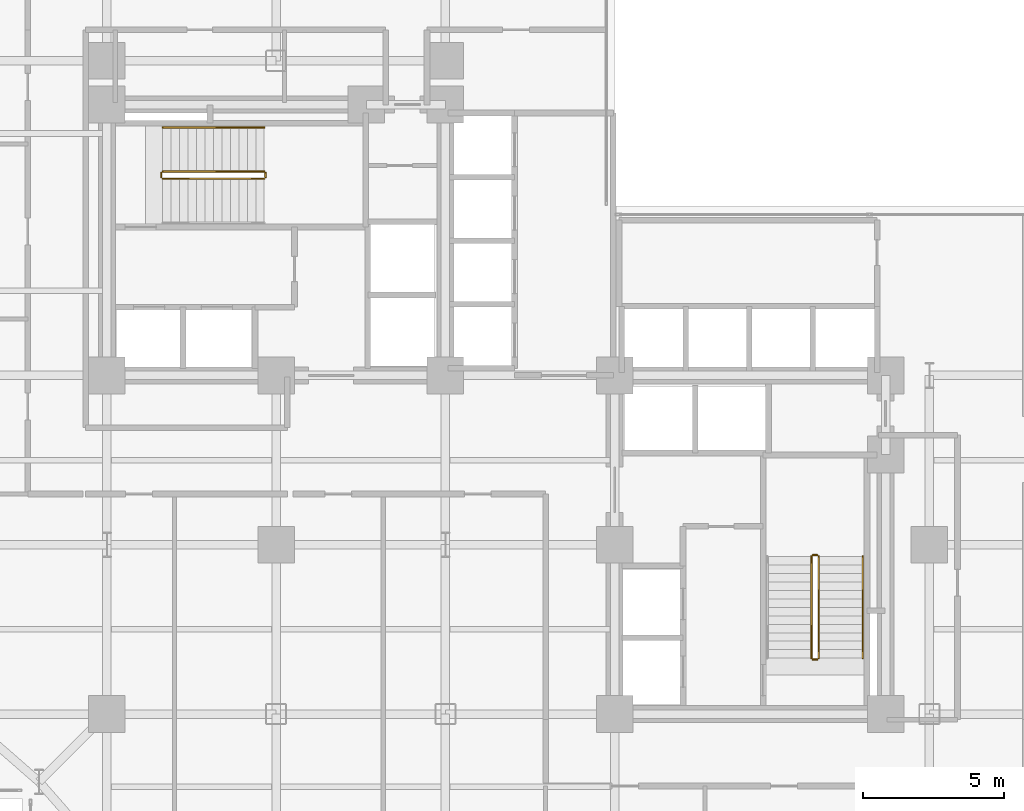
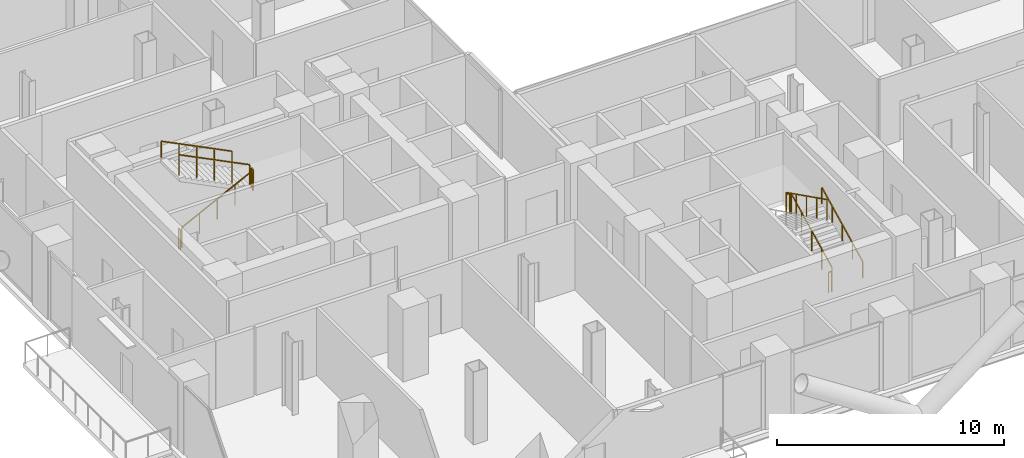
# One storey, part 25 of 25: 10 railings.
"""IFC4 building model written with IfcOpenShell, lengths in metres."""

from ifc_helpers import new_model, si_unit, direction, frame, origin, origin_2d, place, context, subcontext, project, spatial, rectangle, extrude, material, type_object, element, save


model = new_model("IFC4")

# Units and contexts
model_context = context("Model", 3, precision=1e-05, world=origin(), true_north=direction((0.0, 1.0)))
body_context = subcontext(model_context, "Body", "Model", "MODEL_VIEW")
ifc_project = project(units=[si_unit("LENGTHUNIT", "METRE"), si_unit("AREAUNIT", "SQUARE_METRE"), si_unit("VOLUMEUNIT", "CUBIC_METRE"), si_unit("PLANEANGLEUNIT", "RADIAN"), si_unit("MASSUNIT", "GRAM", prefix="KILO"), si_unit("THERMODYNAMICTEMPERATUREUNIT", "KELVIN"), si_unit("POWERUNIT", "WATT")], contexts=[model_context])

# Site, building, storey
site_placement = place(None, origin())
site = spatial("IfcSite", under=ifc_project, at=site_placement, CompositionType="ELEMENT")
building_placement = place(site_placement, origin())
building = spatial("IfcBuilding", under=site, at=building_placement, Name="Svarakhadi Broadcast Tower", CompositionType="ELEMENT")
storey_placement = place(building_placement, frame((0.0, 0.0, 63.60009765625)))
storey = spatial("IfcBuildingStorey", under=building, at=storey_placement, Name="L14", CompositionType="ELEMENT", Elevation=63.60009765625)

# Railings
ifc_material = material(Name="Anodised Bronze Aluminium AA 6063-T6", Category="aluminium")
railing_type_1 = type_object("IfcRailingType", Name="Guard_Stair_GR01", PredefinedType="GUARDRAIL", material=ifc_material)
railing_1_placement = place(storey_placement, frame((7.97998046875, 24.969970703125, 0.14990234375)))
element("IfcRailing", 1, at=railing_1_placement, inside=storey, type_object=railing_type_1, Name="L14 ST-01 stair guard 1", PredefinedType="GUARDRAIL", context=body_context, shape_type="SweptSolid", body=[
    extrude(rectangle(XDim=0.048095703125, YDim=0.048095703125, at=origin_2d()), frame((0.0, 0.0, 1.09619140625), z_axis=(0.894427191, 0.0, 0.4472135955), x_axis=(0.0, 1.0, 0.0)), (0.0, 0.0, 1.0), 4.025146484375),
    extrude(rectangle(XDim=0.0419921875, YDim=0.0419921875, at=origin_2d()), origin(), (0.0, 0.0, 1.0), 1.072021484375),
    extrude(rectangle(XDim=0.0419921875, YDim=0.0419921875, at=origin_2d()), frame((0.89990234375, 0.0, 0.449951171875)), (0.0, 0.0, 1.0), 1.072021484375),
    extrude(rectangle(XDim=0.0419921875, YDim=0.0419921875, at=origin_2d()), frame((1.800048828125, 0.0, 0.89990234375)), (0.0, 0.0, 1.0), 1.072021484375),
    extrude(rectangle(XDim=0.0419921875, YDim=0.0419921875, at=origin_2d()), frame((2.7001953125, 0.0, 1.35009765625)), (0.0, 0.0, 1.0), 1.072021484375),
    extrude(rectangle(XDim=0.0419921875, YDim=0.0419921875, at=origin_2d()), frame((3.60009765625, 0.0, 1.800048828125)), (0.0, 0.0, 1.0), 1.072021484375),
])
railing_2_placement = place(storey_placement, frame((11.6298828125, 25.02001953125, 1.949951171875)))
element("IfcRailing", 2, at=railing_2_placement, inside=storey, type_object=railing_type_1, Name="L14 ST-01 stair guard 2", PredefinedType="GUARDRAIL", context=body_context, shape_type="SweptSolid", body=[
    extrude(rectangle(XDim=0.048095703125, YDim=0.048095703125, at=origin_2d()), frame((0.0, 0.0, 1.09619140625), z_axis=(0.0, 1.0, 0.0), x_axis=(-1.0, 0.0, 0.0)), (0.0, 0.0, 1.0), 0.159912109375),
    extrude(rectangle(XDim=0.0419921875, YDim=0.0419921875, at=origin_2d()), origin(), (0.0, 0.0, 1.0), 1.072021484375),
    extrude(rectangle(XDim=0.0419921875, YDim=0.0419921875, at=origin_2d()), frame((0.0, 0.159912109375, 0.0)), (0.0, 0.0, 1.0), 1.072021484375),
])
railing_3_placement = place(storey_placement, frame((11.580078125, 25.22998046875, 2.099853515625)))
element("IfcRailing", 3, at=railing_3_placement, inside=storey, type_object=railing_type_1, Name="L14 ST-01 stair guard 3", PredefinedType="GUARDRAIL", context=body_context, shape_type="SweptSolid", body=[
    extrude(rectangle(XDim=0.048095703125, YDim=0.048095703125, at=origin_2d()), frame((0.0, 0.0, 1.09619140625), z_axis=(-0.894427191, 0.0, 0.4472135955), x_axis=(0.0, -1.0, 0.0)), (0.0, 0.0, 1.0), 4.025146484375),
    extrude(rectangle(XDim=0.0419921875, YDim=0.0419921875, at=origin_2d()), origin(), (0.0, 0.0, 1.0), 1.072021484375),
    extrude(rectangle(XDim=0.0419921875, YDim=0.0419921875, at=origin_2d()), frame((-0.89990234375, 0.0, 0.449951171875)), (0.0, 0.0, 1.0), 1.072021484375),
    extrude(rectangle(XDim=0.0419921875, YDim=0.0419921875, at=origin_2d()), frame((-1.800048828125, 0.0, 0.89990234375)), (0.0, 0.0, 1.0), 1.072021484375),
    extrude(rectangle(XDim=0.0419921875, YDim=0.0419921875, at=origin_2d()), frame((-2.7001953125, 0.0, 1.35009765625)), (0.0, 0.0, 1.0), 1.072021484375),
    extrude(rectangle(XDim=0.0419921875, YDim=0.0419921875, at=origin_2d()), frame((-3.60009765625, 0.0, 1.800048828125)), (0.0, 0.0, 1.0), 1.072021484375),
])
railing_4_placement = place(storey_placement, frame((7.929931640625, 25.02001953125, 0.0)))
element("IfcRailing", 4, at=railing_4_placement, inside=storey, type_object=railing_type_1, Name="L14 ST-01 stair guard 4", PredefinedType="GUARDRAIL", context=body_context, shape_type="SweptSolid", body=[
    extrude(rectangle(XDim=0.048095703125, YDim=0.048095703125, at=origin_2d()), frame((0.0, 0.0, 1.09619140625), z_axis=(0.0, 1.0, 0.0), x_axis=(-1.0, 0.0, 0.0)), (0.0, 0.0, 1.0), 0.159912109375),
    extrude(rectangle(XDim=0.0419921875, YDim=0.0419921875, at=origin_2d()), origin(), (0.0, 0.0, 1.0), 1.072021484375),
    extrude(rectangle(XDim=0.0419921875, YDim=0.0419921875, at=origin_2d()), frame((0.0, 0.159912109375, 0.0)), (0.0, 0.0, 1.0), 1.072021484375),
])
railing_5_placement = place(storey_placement, frame((31.22998046875, 7.97998046875, 0.14990234375)))
element("IfcRailing", 5, at=railing_5_placement, inside=storey, type_object=railing_type_1, Name="L14 ST-02 stair guard 1", PredefinedType="GUARDRAIL", context=body_context, shape_type="SweptSolid", body=[
    extrude(rectangle(XDim=0.048095703125, YDim=0.048095703125, at=origin_2d()), frame((0.0, 0.0, 1.09619140625), z_axis=(0.0, 0.894427191, 0.4472135955), x_axis=(-1.0, 0.0, 0.0)), (0.0, 0.0, 1.0), 4.025146484375),
    extrude(rectangle(XDim=0.0419921875, YDim=0.0419921875, at=origin_2d()), origin(), (0.0, 0.0, 1.0), 1.072021484375),
    extrude(rectangle(XDim=0.0419921875, YDim=0.0419921875, at=origin_2d()), frame((0.0, 0.89990234375, 0.449951171875)), (0.0, 0.0, 1.0), 1.072021484375),
    extrude(rectangle(XDim=0.0419921875, YDim=0.0419921875, at=origin_2d()), frame((0.0, 1.800048828125, 0.89990234375)), (0.0, 0.0, 1.0), 1.072021484375),
    extrude(rectangle(XDim=0.0419921875, YDim=0.0419921875, at=origin_2d()), frame((0.0, 2.7001953125, 1.35009765625)), (0.0, 0.0, 1.0), 1.072021484375),
    extrude(rectangle(XDim=0.0419921875, YDim=0.0419921875, at=origin_2d()), frame((0.0, 3.60009765625, 1.800048828125)), (0.0, 0.0, 1.0), 1.072021484375),
])
railing_6_placement = place(storey_placement, frame((31.179931640625, 11.6298828125, 1.949951171875)))
element("IfcRailing", 6, at=railing_6_placement, inside=storey, type_object=railing_type_1, Name="L14 ST-02 stair guard 2", PredefinedType="GUARDRAIL", context=body_context, shape_type="SweptSolid", body=[
    extrude(rectangle(XDim=0.048095703125, YDim=0.048095703125, at=origin_2d()), frame((0.0, 0.0, 1.09619140625), z_axis=(-1.0, 0.0, 0.0), x_axis=(0.0, -1.0, 0.0)), (0.0, 0.0, 1.0), 0.159912109375),
    extrude(rectangle(XDim=0.0419921875, YDim=0.0419921875, at=origin_2d()), origin(), (0.0, 0.0, 1.0), 1.072021484375),
    extrude(rectangle(XDim=0.0419921875, YDim=0.0419921875, at=origin_2d()), frame((-0.159912109375, 0.0, 0.0)), (0.0, 0.0, 1.0), 1.072021484375),
])
railing_7_placement = place(storey_placement, frame((30.969970703125, 11.580078125, 2.099853515625)))
element("IfcRailing", 7, at=railing_7_placement, inside=storey, type_object=railing_type_1, Name="L14 ST-02 stair guard 3", PredefinedType="GUARDRAIL", context=body_context, shape_type="SweptSolid", body=[
    extrude(rectangle(XDim=0.048095703125, YDim=0.048095703125, at=origin_2d()), frame((0.0, 0.0, 1.09619140625), z_axis=(0.0, -0.894427191, 0.4472135955), x_axis=(1.0, 0.0, 0.0)), (0.0, 0.0, 1.0), 4.025146484375),
    extrude(rectangle(XDim=0.0419921875, YDim=0.0419921875, at=origin_2d()), origin(), (0.0, 0.0, 1.0), 1.072021484375),
    extrude(rectangle(XDim=0.0419921875, YDim=0.0419921875, at=origin_2d()), frame((0.0, -0.89990234375, 0.449951171875)), (0.0, 0.0, 1.0), 1.072021484375),
    extrude(rectangle(XDim=0.0419921875, YDim=0.0419921875, at=origin_2d()), frame((0.0, -1.800048828125, 0.89990234375)), (0.0, 0.0, 1.0), 1.072021484375),
    extrude(rectangle(XDim=0.0419921875, YDim=0.0419921875, at=origin_2d()), frame((0.0, -2.7001953125, 1.35009765625)), (0.0, 0.0, 1.0), 1.072021484375),
    extrude(rectangle(XDim=0.0419921875, YDim=0.0419921875, at=origin_2d()), frame((0.0, -3.60009765625, 1.800048828125)), (0.0, 0.0, 1.0), 1.072021484375),
])
railing_8_placement = place(storey_placement, frame((31.179931640625, 7.929931640625, 0.0)))
element("IfcRailing", 8, at=railing_8_placement, inside=storey, type_object=railing_type_1, Name="L14 ST-02 stair guard 4", PredefinedType="GUARDRAIL", context=body_context, shape_type="SweptSolid", body=[
    extrude(rectangle(XDim=0.048095703125, YDim=0.048095703125, at=origin_2d()), frame((0.0, 0.0, 1.09619140625), z_axis=(-1.0, 0.0, 0.0), x_axis=(0.0, -1.0, 0.0)), (0.0, 0.0, 1.0), 0.159912109375),
    extrude(rectangle(XDim=0.0419921875, YDim=0.0419921875, at=origin_2d()), origin(), (0.0, 0.0, 1.0), 1.072021484375),
    extrude(rectangle(XDim=0.0419921875, YDim=0.0419921875, at=origin_2d()), frame((-0.159912109375, 0.0, 0.0)), (0.0, 0.0, 1.0), 1.072021484375),
])
railing_type_2 = type_object("IfcRailingType", Name="Handrail_Stair_HR01", PredefinedType="HANDRAIL", material=ifc_material)
railing_9_placement = place(storey_placement, frame((11.580078125, 26.7900390625, 2.099853515625)))
element("IfcRailing", 9, at=railing_9_placement, inside=storey, type_object=railing_type_2, Name="L14 ST-01 stair handrail 2", PredefinedType="HANDRAIL", context=body_context, shape_type="SweptSolid", body=[
    extrude(rectangle(XDim=0.048095703125, YDim=0.048095703125, at=origin_2d()), frame((0.0, 0.0, 0.8759765625), z_axis=(-0.894427191, 0.0, 0.4472135955), x_axis=(0.0, -1.0, 0.0)), (0.0, 0.0, 1.0), 4.025146484375),
    extrude(rectangle(XDim=0.0419921875, YDim=0.0419921875, at=origin_2d()), origin(), (0.0, 0.0, 1.0), 0.851806640625),
    extrude(rectangle(XDim=0.0419921875, YDim=0.0419921875, at=origin_2d()), frame((-0.89990234375, 0.0, 0.449951171875)), (0.0, 0.0, 1.0), 0.851806640625),
    extrude(rectangle(XDim=0.0419921875, YDim=0.0419921875, at=origin_2d()), frame((-1.800048828125, 0.0, 0.89990234375)), (0.0, 0.0, 1.0), 0.851806640625),
    extrude(rectangle(XDim=0.0419921875, YDim=0.0419921875, at=origin_2d()), frame((-2.7001953125, 0.0, 1.35009765625)), (0.0, 0.0, 1.0), 0.851806640625),
    extrude(rectangle(XDim=0.0419921875, YDim=0.0419921875, at=origin_2d()), frame((-3.60009765625, 0.0, 1.800048828125)), (0.0, 0.0, 1.0), 0.851806640625),
])
railing_10_placement = place(storey_placement, frame((32.7900390625, 7.97998046875, 0.14990234375)))
element("IfcRailing", 10, at=railing_10_placement, inside=storey, type_object=railing_type_2, Name="L14 ST-02 stair handrail 1", PredefinedType="HANDRAIL", context=body_context, shape_type="SweptSolid", body=[
    extrude(rectangle(XDim=0.048095703125, YDim=0.048095703125, at=origin_2d()), frame((0.0, 0.0, 0.8759765625), z_axis=(0.0, 0.894427191, 0.4472135955), x_axis=(-1.0, 0.0, 0.0)), (0.0, 0.0, 1.0), 4.025146484375),
    extrude(rectangle(XDim=0.0419921875, YDim=0.0419921875, at=origin_2d()), origin(), (0.0, 0.0, 1.0), 0.851806640625),
    extrude(rectangle(XDim=0.0419921875, YDim=0.0419921875, at=origin_2d()), frame((0.0, 0.89990234375, 0.449951171875)), (0.0, 0.0, 1.0), 0.851806640625),
    extrude(rectangle(XDim=0.0419921875, YDim=0.0419921875, at=origin_2d()), frame((0.0, 1.800048828125, 0.89990234375)), (0.0, 0.0, 1.0), 0.851806640625),
    extrude(rectangle(XDim=0.0419921875, YDim=0.0419921875, at=origin_2d()), frame((0.0, 2.7001953125, 1.35009765625)), (0.0, 0.0, 1.0), 0.851806640625),
    extrude(rectangle(XDim=0.0419921875, YDim=0.0419921875, at=origin_2d()), frame((0.0, 3.60009765625, 1.800048828125)), (0.0, 0.0, 1.0), 0.851806640625),
])

save(model, "model.ifc")
